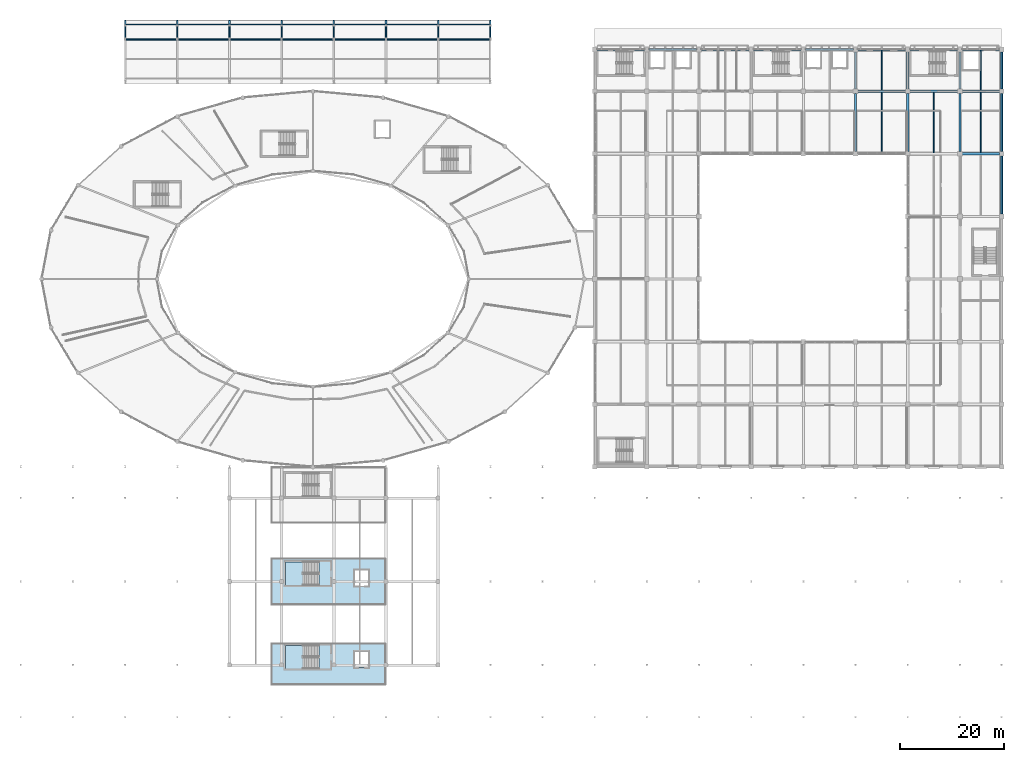
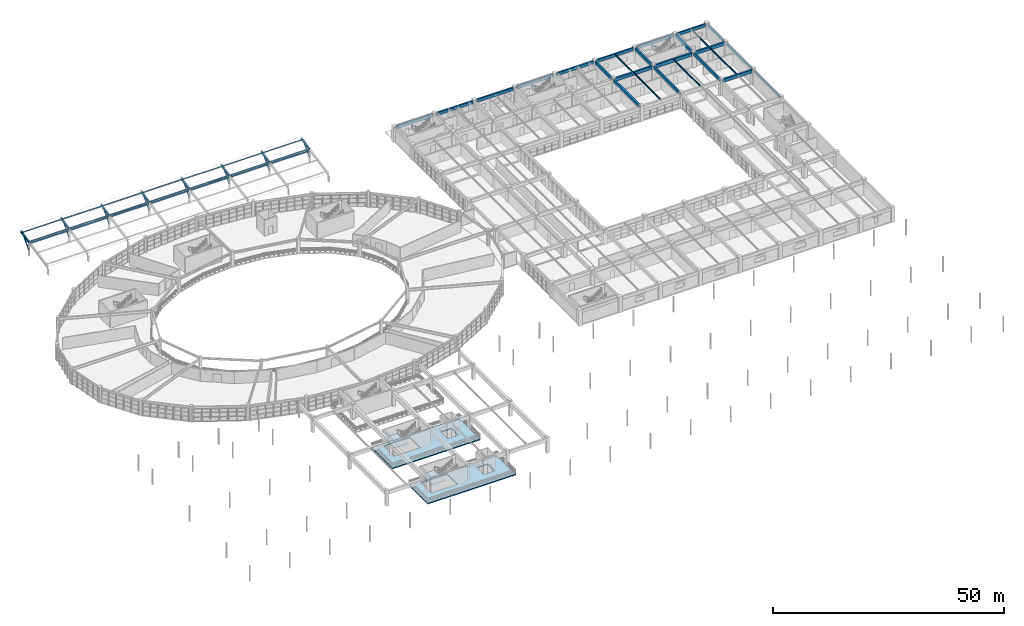
# One storey, part 61 of 100: 41 beams, 22 members, 4 slabs, 2 elements without a shape of their own.
"""IFC4 building model written with IfcOpenShell, lengths in metres."""

from ifc_helpers import new_model, si_unit, direction, frame, origin, origin_2d, place, context, subcontext, project, spatial, polyline, rectangle, hollow_circle, i_section, outline, extrude, material, layer, layer_set, material_profile, profile_set, type_object, element, aggregate, save


model = new_model("IFC4")

# Units and contexts
model_context = context("Model", 3, precision=1e-05, world=origin(), true_north=direction((0.0, 1.0)))
body_context = subcontext(model_context, "Body", "Model", "MODEL_VIEW")
ifc_project = project(units=[si_unit("LENGTHUNIT", "METRE"), si_unit("AREAUNIT", "SQUARE_METRE"), si_unit("VOLUMEUNIT", "CUBIC_METRE"), si_unit("PLANEANGLEUNIT", "RADIAN"), si_unit("MASSUNIT", "GRAM", prefix="KILO")], contexts=[model_context])

# Site, building, storey
site_placement = place(None, origin())
site = spatial("IfcSite", under=ifc_project, at=site_placement, CompositionType="ELEMENT")
building_placement = place(site_placement, origin())
building = spatial("IfcBuilding", under=site, at=building_placement, Name="Kivolera Central Railway Station", CompositionType="ELEMENT")
storey_placement = place(building_placement, frame((0.0, 0.0, 5.39990234375)))
storey = spatial("IfcBuildingStorey", under=building, at=storey_placement, Name="L01", CompositionType="ELEMENT", Elevation=5.39990234375)

# Beams
ifc_material_1 = material(Name="Steel S355", Category="steel")
ifc_material_profile_1 = material_profile(ifc_material_1, i_section(OverallWidth=0.300048828125, OverallDepth=0.5, WebThickness=0.014404296875, FlangeThickness=0.028076171875, FilletRadius=0.027099609375, at=origin_2d()), Name="HEB 500")
ifc_profile_set_1 = profile_set([ifc_material_profile_1], Name="Steel S355")
beam_type_1 = type_object("IfcBeamType", Name="BM-CAN-CANT", PredefinedType="BEAM", material=ifc_profile_set_1)
for number, where, z_axis, x_axis, name in (
    (1, (28.0, 136.0, 3.630126953125), (0.0, 0.980583233233, 0.196103346996), (-1.0, 0.0, 0.0), "Forecourt Canopy Cantilever Rib 1"),
    (2, (38.0, 136.0, 3.630126953125), (0.0, 0.980583233233, 0.196103346996), (-1.0, 0.0, 0.0), "Forecourt Canopy Cantilever Rib 2"),
    (3, (48.0, 136.0, 3.630126953125), (0.0, 0.980583233233, 0.196103346996), (-1.0, 0.0, 0.0), "Forecourt Canopy Cantilever Rib 3"),
    (4, (58.0, 136.0, 3.630126953125), (0.0, 0.980583233233, 0.196103346996), (-1.0, 0.0, 0.0), "Forecourt Canopy Cantilever Rib 4"),
    (5, (68.0, 136.0, 3.630126953125), (0.0, 0.980583233233, 0.196103346996), (-1.0, 0.0, 0.0), "Forecourt Canopy Cantilever Rib 5"),
    (6, (78.0, 136.0, 3.630126953125), (0.0, 0.980583233233, 0.196103346996), (-1.0, 0.0, 0.0), "Forecourt Canopy Cantilever Rib 6"),
    (7, (88.0, 136.0, 3.630126953125), (0.0, 0.980583233233, 0.196103346996), (-1.0, 0.0, 0.0), "Forecourt Canopy Cantilever Rib 7"),
    (8, (98.0, 136.0, 3.630126953125), (0.0, 0.980583233233, 0.196103346996), (-1.0, 0.0, 0.0), "Forecourt Canopy Cantilever Rib 8"),
):
    element("IfcBeam", number, at=place(storey_placement, frame(where, z_axis=z_axis, x_axis=x_axis)), inside=storey, type_object=beam_type_1, Name=name, PredefinedType="BEAM", context=body_context, shape_type="SweptSolid", body=[
        extrude(i_section(OverallWidth=0.300048828125, OverallDepth=0.5, WebThickness=0.014404296875, FlangeThickness=0.028076171875, FilletRadius=0.027099609375, at=origin_2d()), origin(), (0.0, 0.0, 1.0), 3.67138671875),
    ])
ifc_material_profile_2 = material_profile(ifc_material_1, i_section(OverallWidth=0.300048828125, OverallDepth=0.2900390625, WebThickness=0.008544921875, FlangeThickness=0.013916015625, FilletRadius=0.027099609375, at=origin_2d()), Name="HEA 300")
ifc_profile_set_2 = profile_set([ifc_material_profile_2], Name="Steel S355")
beam_type_2 = type_object("IfcBeamType", Name="BM-CAN-TIE", PredefinedType="BEAM", material=ifc_profile_set_2)
for number, where, z_axis, x_axis, name in (
    (9, (28.139892578125, 136.0, 3.260009765625), (1.0, 0.0, 0.0), (0.0, 1.0, 0.0), "Forecourt Canopy North Longitudinal Beam 28"),
    (10, (38.139892578125, 136.0, 3.260009765625), (1.0, 0.0, 0.0), (0.0, 1.0, 0.0), "Forecourt Canopy North Longitudinal Beam 38"),
    (11, (48.139892578125, 136.0, 3.260009765625), (1.0, 0.0, 0.0), (0.0, 1.0, 0.0), "Forecourt Canopy North Longitudinal Beam 48"),
    (12, (58.139892578125, 136.0, 3.260009765625), (1.0, 0.0, 0.0), (0.0, 1.0, 0.0), "Forecourt Canopy North Longitudinal Beam 58"),
    (13, (68.139892578125, 136.0, 3.260009765625), (1.0, 0.0, 0.0), (0.0, 1.0, 0.0), "Forecourt Canopy North Longitudinal Beam 68"),
    (14, (78.139892578125, 136.0, 3.260009765625), (1.0, 0.0, 0.0), (0.0, 1.0, 0.0), "Forecourt Canopy North Longitudinal Beam 78"),
    (15, (88.139892578125, 136.0, 3.260009765625), (1.0, 0.0, 0.0), (0.0, 1.0, 0.0), "Forecourt Canopy North Longitudinal Beam 88"),
):
    element("IfcBeam", number, at=place(storey_placement, frame(where, z_axis=z_axis, x_axis=x_axis)), inside=storey, type_object=beam_type_2, Name=name, PredefinedType="BEAM", context=body_context, shape_type="SweptSolid", body=[
        extrude(i_section(OverallWidth=0.300048828125, OverallDepth=0.2900390625, WebThickness=0.008544921875, FlangeThickness=0.013916015625, FilletRadius=0.027099609375, at=origin_2d()), origin(), (0.0, 0.0, 1.0), 9.72021484375),
    ])
ifc_material_profile_3 = material_profile(ifc_material_1, i_section(OverallWidth=0.179931640625, OverallDepth=0.39990234375, WebThickness=0.008544921875, FlangeThickness=0.013427734375, FilletRadius=0.02099609375, at=origin_2d()), Name="IPE 400")
ifc_profile_set_3 = profile_set([ifc_material_profile_3], Name="Steel S355")
beam_type_3 = type_object("IfcBeamType", Name="BM-JST-IPE400", PredefinedType="JOIST", material=ifc_profile_set_3)
beam_1_placement = place(storey_placement, frame((173.0, 114.217041015625, 3.668212890625), z_axis=(0.0, 1.0, 0.0), x_axis=(-1.0, 0.0, 0.0)))
element("IfcBeam", 16, at=beam_1_placement, inside=storey, type_object=beam_type_3, Name="L01 Floor Joist 17-18/K-L", PredefinedType="JOIST", context=body_context, shape_type="SweptSolid", body=[
    extrude(i_section(OverallWidth=0.179931640625, OverallDepth=0.39990234375, WebThickness=0.008544921875, FlangeThickness=0.013427734375, FilletRadius=0.02099609375, at=origin_2d()), origin(), (0.0, 0.0, 1.0), 11.56591796875),
])
beam_2_placement = place(storey_placement, frame((173.0, 126.217041015625, 3.668212890625), z_axis=(0.0, 1.0, 0.0), x_axis=(-1.0, 0.0, 0.0)))
element("IfcBeam", 17, at=beam_2_placement, inside=storey, type_object=beam_type_3, Name="L01 Floor Joist 17-18/L-M", PredefinedType="JOIST", context=body_context, shape_type="SweptSolid", body=[
    extrude(i_section(OverallWidth=0.179931640625, OverallDepth=0.39990234375, WebThickness=0.008544921875, FlangeThickness=0.013427734375, FilletRadius=0.02099609375, at=origin_2d()), origin(), (0.0, 0.0, 1.0), 7.591064453125),
])
for number, where, z_axis, x_axis, name in (
    (18, (183.0, 114.217041015625, 3.668212890625), (0.0, 1.0, 0.0), (-1.0, 0.0, 0.0), "L01 Floor Joist 18-19/K-L"),
    (19, (192.0, 114.217041015625, 3.668212890625), (0.0, 1.0, 0.0), (-1.0, 0.0, 0.0), "L01 Floor Joist 19-20/K-L"),
):
    element("IfcBeam", number, at=place(storey_placement, frame(where, z_axis=z_axis, x_axis=x_axis)), inside=storey, type_object=beam_type_3, Name=name, PredefinedType="JOIST", context=body_context, shape_type="SweptSolid", body=[
        extrude(i_section(OverallWidth=0.179931640625, OverallDepth=0.39990234375, WebThickness=0.008544921875, FlangeThickness=0.013427734375, FilletRadius=0.02099609375, at=origin_2d()), origin(), (0.0, 0.0, 1.0), 11.56591796875),
    ])
beam_3_placement = place(storey_placement, frame((192.0, 126.217041015625, 3.668212890625), z_axis=(0.0, 1.0, 0.0), x_axis=(-1.0, 0.0, 0.0)))
element("IfcBeam", 20, at=beam_3_placement, inside=storey, type_object=beam_type_3, Name="L01 Floor Joist 19-20/L-M", PredefinedType="JOIST", context=body_context, shape_type="SweptSolid", body=[
    extrude(i_section(OverallWidth=0.179931640625, OverallDepth=0.39990234375, WebThickness=0.008544921875, FlangeThickness=0.013427734375, FilletRadius=0.02099609375, at=origin_2d()), origin(), (0.0, 0.0, 1.0), 7.591064453125),
])
ifc_material_2 = material(Name="Concrete C40/50", Category="concrete")
ifc_material_profile_4 = material_profile(ifc_material_2, rectangle(XDim=0.39990234375, YDim=0.75, at=origin_2d()), Name="RC 400x750")
ifc_profile_set_4 = profile_set([ifc_material_profile_4], Name="Concrete C40/50")
beam_type_4 = type_object("IfcBeamType", Name="BM-RC-400x750", PredefinedType="BEAM", material=ifc_profile_set_4)
beam_4_placement = place(storey_placement, frame((168.0, 114.44189453125, 3.505126953125), z_axis=(0.0, 1.0, 0.0), x_axis=(-1.0, 0.0, 0.0)))
element("IfcBeam", 21, at=beam_4_placement, inside=storey, type_object=beam_type_4, Name="L01 Wing Y-Beam 17:K-L", PredefinedType="BEAM", context=body_context, shape_type="SweptSolid", body=[
    extrude(rectangle(XDim=0.39990234375, YDim=0.75, at=origin_2d()), origin(), (0.0, 0.0, 1.0), 11.1162109375),
])
beam_5_placement = place(storey_placement, frame((168.0, 126.44189453125, 3.505126953125), z_axis=(0.0, 1.0, 0.0), x_axis=(-1.0, 0.0, 0.0)))
element("IfcBeam", 22, at=beam_5_placement, inside=storey, type_object=beam_type_4, Name="L01 Wing Y-Beam 17:L-M", PredefinedType="BEAM", context=body_context, shape_type="SweptSolid", body=[
    extrude(rectangle(XDim=0.39990234375, YDim=0.75, at=origin_2d()), origin(), (0.0, 0.0, 1.0), 7.1162109375),
])
beam_6_placement = place(storey_placement, frame((178.0, 114.44189453125, 3.505126953125), z_axis=(0.0, 1.0, 0.0), x_axis=(-1.0, 0.0, 0.0)))
element("IfcBeam", 23, at=beam_6_placement, inside=storey, type_object=beam_type_4, Name="L01 Wing Y-Beam 18:K-L", PredefinedType="BEAM", context=body_context, shape_type="SweptSolid", body=[
    extrude(rectangle(XDim=0.39990234375, YDim=0.75, at=origin_2d()), origin(), (0.0, 0.0, 1.0), 11.1162109375),
])
beam_7_placement = place(storey_placement, frame((178.0, 126.44189453125, 3.505126953125), z_axis=(0.0, 1.0, 0.0), x_axis=(-1.0, 0.0, 0.0)))
element("IfcBeam", 24, at=beam_7_placement, inside=storey, type_object=beam_type_4, Name="L01 Wing Y-Beam 18:L-M", PredefinedType="BEAM", context=body_context, shape_type="SweptSolid", body=[
    extrude(rectangle(XDim=0.39990234375, YDim=0.75, at=origin_2d()), origin(), (0.0, 0.0, 1.0), 7.1162109375),
])
beam_8_placement = place(storey_placement, frame((188.0, 114.44189453125, 3.505126953125), z_axis=(0.0, 1.0, 0.0), x_axis=(-1.0, 0.0, 0.0)))
element("IfcBeam", 25, at=beam_8_placement, inside=storey, type_object=beam_type_4, Name="L01 Wing Y-Beam 19:K-L", PredefinedType="BEAM", context=body_context, shape_type="SweptSolid", body=[
    extrude(rectangle(XDim=0.39990234375, YDim=0.75, at=origin_2d()), origin(), (0.0, 0.0, 1.0), 11.1162109375),
])
beam_9_placement = place(storey_placement, frame((188.0, 126.44189453125, 3.505126953125), z_axis=(0.0, 1.0, 0.0), x_axis=(-1.0, 0.0, 0.0)))
element("IfcBeam", 26, at=beam_9_placement, inside=storey, type_object=beam_type_4, Name="L01 Wing Y-Beam 19:L-M", PredefinedType="BEAM", context=body_context, shape_type="SweptSolid", body=[
    extrude(rectangle(XDim=0.39990234375, YDim=0.75, at=origin_2d()), origin(), (0.0, 0.0, 1.0), 7.1162109375),
])
ifc_material_profile_5 = material_profile(ifc_material_2, rectangle(XDim=0.449951171875, YDim=0.85009765625, at=origin_2d()), Name="RC 450x850")
ifc_profile_set_5 = profile_set([ifc_material_profile_5], Name="Concrete C40/50")
beam_type_5 = type_object("IfcBeamType", Name="BM-RC-450x850", PredefinedType="BEAM", material=ifc_profile_set_5)
beam_10_placement = place(storey_placement, frame((188.44189453125, 114.0, 3.455078125), z_axis=(1.0, 0.0, 0.0), x_axis=(0.0, 1.0, 0.0)))
element("IfcBeam", 27, at=beam_10_placement, inside=storey, type_object=beam_type_5, Name="L01 Wing X-Beam K:19-20", PredefinedType="BEAM", context=body_context, shape_type="SweptSolid", body=[
    extrude(rectangle(XDim=0.449951171875, YDim=0.85009765625, at=origin_2d()), origin(), (0.0, 0.0, 1.0), 7.1162109375),
])
for number, where, z_axis, x_axis, name in (
    (28, (168.44189453125, 126.0, 3.455078125), (1.0, 0.0, 0.0), (0.0, 1.0, 0.0), "L01 Wing X-Beam L:17-18"),
    (29, (178.44189453125, 126.0, 3.455078125), (1.0, 0.0, 0.0), (0.0, 1.0, 0.0), "L01 Wing X-Beam L:18-19"),
):
    element("IfcBeam", number, at=place(storey_placement, frame(where, z_axis=z_axis, x_axis=x_axis)), inside=storey, type_object=beam_type_5, Name=name, PredefinedType="BEAM", context=body_context, shape_type="SweptSolid", body=[
        extrude(rectangle(XDim=0.449951171875, YDim=0.85009765625, at=origin_2d()), origin(), (0.0, 0.0, 1.0), 9.1162109375),
    ])
beam_11_placement = place(storey_placement, frame((188.44189453125, 126.0, 3.455078125), z_axis=(1.0, 0.0, 0.0), x_axis=(0.0, 1.0, 0.0)))
element("IfcBeam", 30, at=beam_11_placement, inside=storey, type_object=beam_type_5, Name="L01 Wing X-Beam L:19-20", PredefinedType="BEAM", context=body_context, shape_type="SweptSolid", body=[
    extrude(rectangle(XDim=0.449951171875, YDim=0.85009765625, at=origin_2d()), origin(), (0.0, 0.0, 1.0), 7.1162109375),
])
ifc_material_profile_6 = material_profile(ifc_material_2, rectangle(XDim=0.35009765625, YDim=0.64990234375, at=origin_2d()), Name="RC 350x650")
ifc_profile_set_6 = profile_set([ifc_material_profile_6], Name="Concrete C40/50")
beam_type_6 = type_object("IfcBeamType", Name="BM-SPN-RC650", PredefinedType="SPANDREL", material=ifc_profile_set_6)
for number, where, z_axis, x_axis, name in (
    (31, (196.0, 102.44189453125, 3.55517578125), (0.0, 1.0, 0.0), (-1.0, 0.0, 0.0), "L01 Wing Y-Beam 20:J-K"),
    (32, (196.0, 114.44189453125, 3.55517578125), (0.0, 1.0, 0.0), (-1.0, 0.0, 0.0), "L01 Wing Y-Beam 20:K-L"),
):
    element("IfcBeam", number, at=place(storey_placement, frame(where, z_axis=z_axis, x_axis=x_axis)), inside=storey, type_object=beam_type_6, Name=name, PredefinedType="SPANDREL", context=body_context, shape_type="SweptSolid", body=[
        extrude(rectangle(XDim=0.35009765625, YDim=0.64990234375, at=origin_2d()), origin(), (0.0, 0.0, 1.0), 11.1162109375),
    ])
beam_12_placement = place(storey_placement, frame((196.0, 126.44189453125, 3.55517578125), z_axis=(0.0, 1.0, 0.0), x_axis=(-1.0, 0.0, 0.0)))
element("IfcBeam", 33, at=beam_12_placement, inside=storey, type_object=beam_type_6, Name="L01 Wing Y-Beam 20:L-M", PredefinedType="SPANDREL", context=body_context, shape_type="SweptSolid", body=[
    extrude(rectangle(XDim=0.35009765625, YDim=0.64990234375, at=origin_2d()), origin(), (0.0, 0.0, 1.0), 7.1162109375),
])
ifc_material_profile_7 = material_profile(ifc_material_2, rectangle(XDim=0.39990234375, YDim=0.75, at=origin_2d()), Name="RC 400x750")
ifc_profile_set_7 = profile_set([ifc_material_profile_7], Name="Concrete C40/50")
beam_type_7 = type_object("IfcBeamType", Name="BM-SPN-RC750", PredefinedType="SPANDREL", material=ifc_profile_set_7)
for number, where, z_axis, x_axis, name in (
    (34, (118.44189453125, 134.0, 3.505126953125), (1.0, 0.0, 0.0), (0.0, 1.0, 0.0), "L01 Wing X-Beam M:12-13"),
    (35, (128.44189453125, 134.0, 3.505126953125), (1.0, 0.0, 0.0), (0.0, 1.0, 0.0), "L01 Wing X-Beam M:13-14"),
    (36, (138.44189453125, 134.0, 3.505126953125), (1.0, 0.0, 0.0), (0.0, 1.0, 0.0), "L01 Wing X-Beam M:14-15"),
    (37, (148.44189453125, 134.0, 3.505126953125), (1.0, 0.0, 0.0), (0.0, 1.0, 0.0), "L01 Wing X-Beam M:15-16"),
    (38, (158.44189453125, 134.0, 3.505126953125), (1.0, 0.0, 0.0), (0.0, 1.0, 0.0), "L01 Wing X-Beam M:16-17"),
    (39, (168.44189453125, 134.0, 3.505126953125), (1.0, 0.0, 0.0), (0.0, 1.0, 0.0), "L01 Wing X-Beam M:17-18"),
    (40, (178.44189453125, 134.0, 3.505126953125), (1.0, 0.0, 0.0), (0.0, 1.0, 0.0), "L01 Wing X-Beam M:18-19"),
):
    element("IfcBeam", number, at=place(storey_placement, frame(where, z_axis=z_axis, x_axis=x_axis)), inside=storey, type_object=beam_type_7, Name=name, PredefinedType="SPANDREL", context=body_context, shape_type="SweptSolid", body=[
        extrude(rectangle(XDim=0.39990234375, YDim=0.75, at=origin_2d()), origin(), (0.0, 0.0, 1.0), 9.1162109375),
    ])
beam_13_placement = place(storey_placement, frame((188.44189453125, 134.0, 3.505126953125), z_axis=(1.0, 0.0, 0.0), x_axis=(0.0, 1.0, 0.0)))
element("IfcBeam", 41, at=beam_13_placement, inside=storey, type_object=beam_type_7, Name="L01 Wing X-Beam M:19-20", PredefinedType="SPANDREL", context=body_context, shape_type="SweptSolid", body=[
    extrude(rectangle(XDim=0.39990234375, YDim=0.75, at=origin_2d()), origin(), (0.0, 0.0, 1.0), 7.1162109375),
])

# Members
ifc_material_profile_8 = material_profile(ifc_material_1, i_section(OverallWidth=0.10009765625, OverallDepth=0.199951171875, WebThickness=0.005615234375, FlangeThickness=0.008544921875, FilletRadius=0.011962890625, at=origin_2d()), Name="IPE 200")
ifc_profile_set_8 = profile_set([ifc_material_profile_8], Name="Steel S355")
member_type_1 = type_object("IfcMemberType", Name="MEM-PUR-IPE200", PredefinedType="PURLIN", material=ifc_profile_set_8)
for number, where, z_axis, x_axis, name in (
    (42, (28.080078125, 135.800048828125, 3.93212890625), (1.0, 0.0, 0.0), (0.0, 1.0, 0.0), "Forecourt Canopy Purlin 28-3"),
    (43, (28.080078125, 138.800048828125, 4.531982421875), (1.0, 0.0, 0.0), (0.0, 1.0, 0.0), "Forecourt Canopy Purlin 28-4"),
    (44, (38.080078125, 135.800048828125, 3.93212890625), (1.0, 0.0, 0.0), (0.0, 1.0, 0.0), "Forecourt Canopy Purlin 38-3"),
    (45, (38.080078125, 138.800048828125, 4.531982421875), (1.0, 0.0, 0.0), (0.0, 1.0, 0.0), "Forecourt Canopy Purlin 38-4"),
    (46, (48.080078125, 135.800048828125, 3.93212890625), (1.0, 0.0, 0.0), (0.0, 1.0, 0.0), "Forecourt Canopy Purlin 48-3"),
    (47, (48.080078125, 138.800048828125, 4.531982421875), (1.0, 0.0, 0.0), (0.0, 1.0, 0.0), "Forecourt Canopy Purlin 48-4"),
    (48, (58.080078125, 135.800048828125, 3.93212890625), (1.0, 0.0, 0.0), (0.0, 1.0, 0.0), "Forecourt Canopy Purlin 58-3"),
    (49, (58.080078125, 138.800048828125, 4.531982421875), (1.0, 0.0, 0.0), (0.0, 1.0, 0.0), "Forecourt Canopy Purlin 58-4"),
    (50, (68.080078125, 135.800048828125, 3.93212890625), (1.0, 0.0, 0.0), (0.0, 1.0, 0.0), "Forecourt Canopy Purlin 68-3"),
    (51, (68.080078125, 138.800048828125, 4.531982421875), (1.0, 0.0, 0.0), (0.0, 1.0, 0.0), "Forecourt Canopy Purlin 68-4"),
    (52, (78.080078125, 135.800048828125, 3.93212890625), (1.0, 0.0, 0.0), (0.0, 1.0, 0.0), "Forecourt Canopy Purlin 78-3"),
    (53, (78.080078125, 138.800048828125, 4.531982421875), (1.0, 0.0, 0.0), (0.0, 1.0, 0.0), "Forecourt Canopy Purlin 78-4"),
    (54, (88.080078125, 135.800048828125, 3.93212890625), (1.0, 0.0, 0.0), (0.0, 1.0, 0.0), "Forecourt Canopy Purlin 88-3"),
    (55, (88.080078125, 138.800048828125, 4.531982421875), (1.0, 0.0, 0.0), (0.0, 1.0, 0.0), "Forecourt Canopy Purlin 88-4"),
):
    element("IfcMember", number, at=place(storey_placement, frame(where, z_axis=z_axis, x_axis=x_axis)), inside=storey, type_object=member_type_1, Name=name, PredefinedType="PURLIN", context=body_context, shape_type="SweptSolid", body=[
        extrude(i_section(OverallWidth=0.10009765625, OverallDepth=0.199951171875, WebThickness=0.005615234375, FlangeThickness=0.008544921875, FilletRadius=0.011962890625, at=origin_2d()), origin(), (0.0, 0.0, 1.0), 9.83984375),
    ])
ifc_material_profile_9 = material_profile(ifc_material_1, hollow_circle(Radius=0.136474609375, WallThickness=0.012451171875, at=origin_2d()), Name="CHS 273x12.5")
ifc_profile_set_9 = profile_set([ifc_material_profile_9], Name="Steel S355")
member_type_2 = type_object("IfcMemberType", Name="MEM-STR-CHS273", PredefinedType="STRUT", material=ifc_profile_set_9)
for number, where, z_axis, x_axis, name in (
    (56, (28.0, 136.0, 1.4501953125), (0.0, 0.69366171332, 0.720300928414), (-1.0, 0.0, 0.0), "Forecourt Canopy V-Strut 1"),
    (57, (38.0, 136.0, 1.4501953125), (0.0, 0.69366171332, 0.720300928414), (-1.0, 0.0, 0.0), "Forecourt Canopy V-Strut 2"),
    (58, (48.0, 136.0, 1.4501953125), (0.0, 0.69366171332, 0.720300928414), (-1.0, 0.0, 0.0), "Forecourt Canopy V-Strut 3"),
    (59, (58.0, 136.0, 1.4501953125), (0.0, 0.69366171332, 0.720300928414), (-1.0, 0.0, 0.0), "Forecourt Canopy V-Strut 4"),
    (60, (68.0, 136.0, 1.4501953125), (0.0, 0.69366171332, 0.720300928414), (-1.0, 0.0, 0.0), "Forecourt Canopy V-Strut 5"),
    (61, (78.0, 136.0, 1.4501953125), (0.0, 0.69366171332, 0.720300928414), (-1.0, 0.0, 0.0), "Forecourt Canopy V-Strut 6"),
    (62, (88.0, 136.0, 1.4501953125), (0.0, 0.69366171332, 0.720300928414), (-1.0, 0.0, 0.0), "Forecourt Canopy V-Strut 7"),
    (63, (98.0, 136.0, 1.4501953125), (0.0, 0.69366171332, 0.720300928414), (-1.0, 0.0, 0.0), "Forecourt Canopy V-Strut 8"),
):
    element("IfcMember", number, at=place(storey_placement, frame(where, z_axis=z_axis, x_axis=x_axis)), inside=storey, type_object=member_type_2, Name=name, PredefinedType="STRUT", context=body_context, shape_type="SweptSolid", body=[
        extrude(hollow_circle(Radius=0.136474609375, WallThickness=0.012451171875, at=origin_2d()), origin(), (0.0, 0.0, 1.0), 3.748291015625),
    ])

# Slabs
ifc_layer_1 = layer(ifc_material_2, 0.27001953125, Name="Concrete C40/50")
ifc_layer_set_1 = layer_set([ifc_layer_1], Name="Concrete C40/50")
slab_type_1 = type_object("IfcSlabType", Name="SLB-FLR-270", PredefinedType="FLOOR", material=ifc_layer_set_1)
slab_1_placement = place(storey_placement, frame((0.0, 0.0, -0.27001953125)))
element("IfcSlab", 64, at=slab_1_placement, inside=storey, type_object=slab_type_1, Name="L01 Platform 1 Mezzanine Landing Slab", PredefinedType="FLOOR", context=body_context, shape_type="SweptSolid", body=[
    extrude(outline(polyline([(56.0, 12.199951171875), (78.0, 12.199951171875), (78.0, 20.199951171875), (56.0, 20.199951171875), (56.0, 12.199951171875)]), holes=[polyline([(65.139892578125, 19.800048828125), (58.699951171875, 19.800048828125), (58.699951171875, 15.300048828125), (65.139892578125, 15.300048828125), (65.139892578125, 19.800048828125)]), polyline([(72.0, 15.60009765625), (74.60009765625, 15.60009765625), (74.60009765625, 18.60009765625), (72.0, 18.60009765625), (72.0, 15.60009765625)])]), origin(), (0.0, 0.0, 1.0), 0.27001953125),
])
slab_2_placement = place(storey_placement, frame((0.0, 0.0, -0.27001953125)))
element("IfcSlab", 65, at=slab_2_placement, inside=storey, type_object=slab_type_1, Name="L01 Platform 2 Mezzanine Landing Slab", PredefinedType="FLOOR", context=body_context, shape_type="SweptSolid", body=[
    extrude(outline(polyline([(56.0, 27.5), (78.0, 27.5), (78.0, 36.5), (56.0, 36.5), (56.0, 27.5)]), holes=[polyline([(65.139892578125, 35.800048828125), (58.699951171875, 35.800048828125), (58.699951171875, 31.300048828125), (65.139892578125, 31.300048828125), (65.139892578125, 35.800048828125)]), polyline([(72.0, 31.199951171875), (74.60009765625, 31.199951171875), (74.60009765625, 34.199951171875), (72.0, 34.199951171875), (72.0, 31.199951171875)])]), origin(), (0.0, 0.0, 1.0), 0.27001953125),
])

# Stair, slab
stair_type = type_object("IfcStairType", Name="STR-2160-24", PredefinedType="HALF_TURN_STAIR", material=ifc_material_2)
stair_1_placement = place(storey_placement, origin())
stair_1 = element("IfcStair", 66, at=stair_1_placement, inside=storey, type_object=stair_type, Name="L01 Platform 2 Interchange Exit Stair ST9", PredefinedType="HALF_TURN_STAIR")
ifc_layer_2 = layer(ifc_material_2, 0.199951171875, Name="Concrete C40/50")
ifc_layer_set_2 = layer_set([ifc_layer_2], Name="Concrete C40/50")
slab_type_2 = type_object("IfcSlabType", Name="SLB-LND-200", PredefinedType="LANDING", material=ifc_layer_set_2)
slab_3_placement = place(storey_placement, frame((0.0, 0.0, 1.900146484375)))
slab_3 = element("IfcSlab", 67, at=slab_3_placement, type_object=slab_type_2, Name="ST9 landing 1", PredefinedType="LANDING", context=body_context, shape_type="SweptSolid", body=[
    extrude(outline(polyline([(62.06005859375, 35.800048828125), (58.699951171875, 35.800048828125), (58.699951171875, 31.300048828125), (62.06005859375, 31.300048828125), (62.06005859375, 35.800048828125)])), origin(), (0.0, 0.0, 1.0), 0.199951171875),
])
aggregate(stair_1, [slab_3])

stair_2_placement = place(storey_placement, origin())
stair_2 = element("IfcStair", 68, at=stair_2_placement, inside=storey, type_object=stair_type, Name="L01 Platform 1 Interchange Exit Stair ST10", PredefinedType="HALF_TURN_STAIR")
slab_4_placement = place(storey_placement, frame((0.0, 0.0, 1.900146484375)))
slab_4 = element("IfcSlab", 69, at=slab_4_placement, type_object=slab_type_2, Name="ST10 landing 1", PredefinedType="LANDING", context=body_context, shape_type="SweptSolid", body=[
    extrude(outline(polyline([(62.06005859375, 19.800048828125), (58.699951171875, 19.800048828125), (58.699951171875, 15.300048828125), (62.06005859375, 15.300048828125), (62.06005859375, 19.800048828125)])), origin(), (0.0, 0.0, 1.0), 0.199951171875),
])
aggregate(stair_2, [slab_4])

save(model, "model.ifc")
